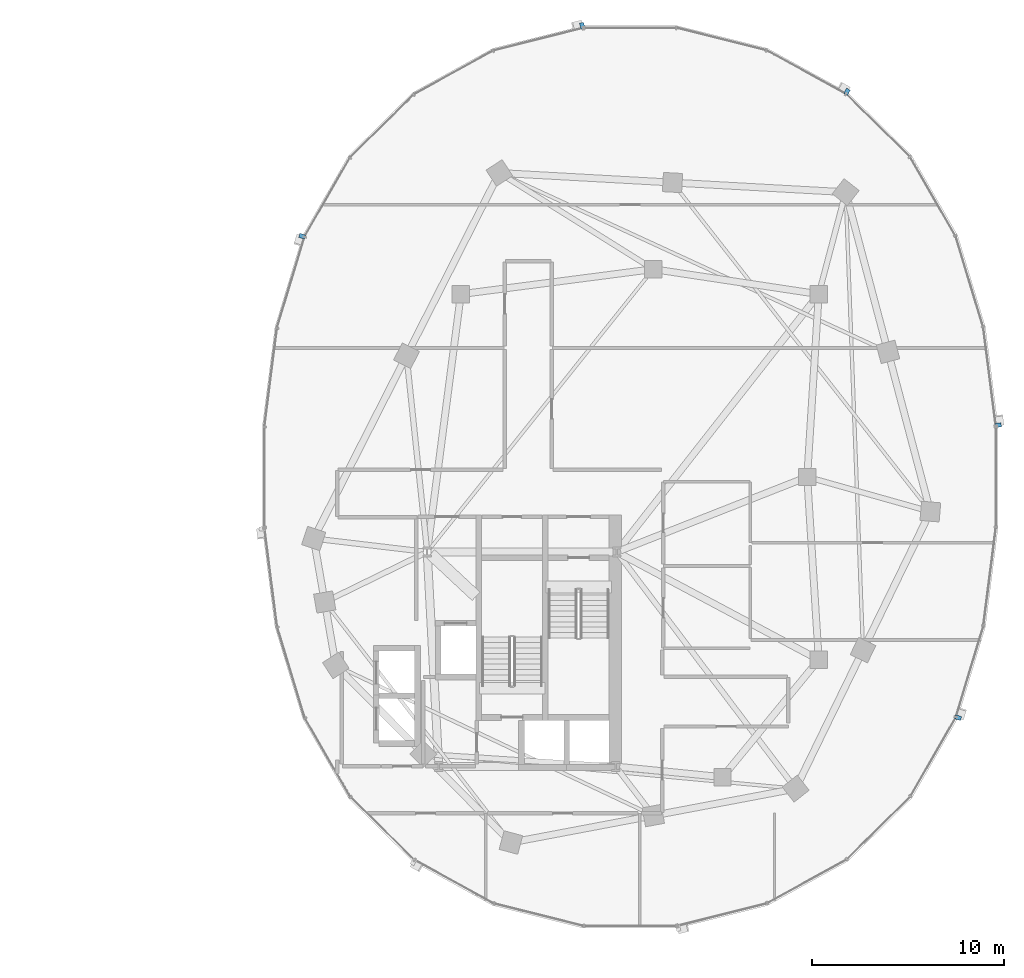
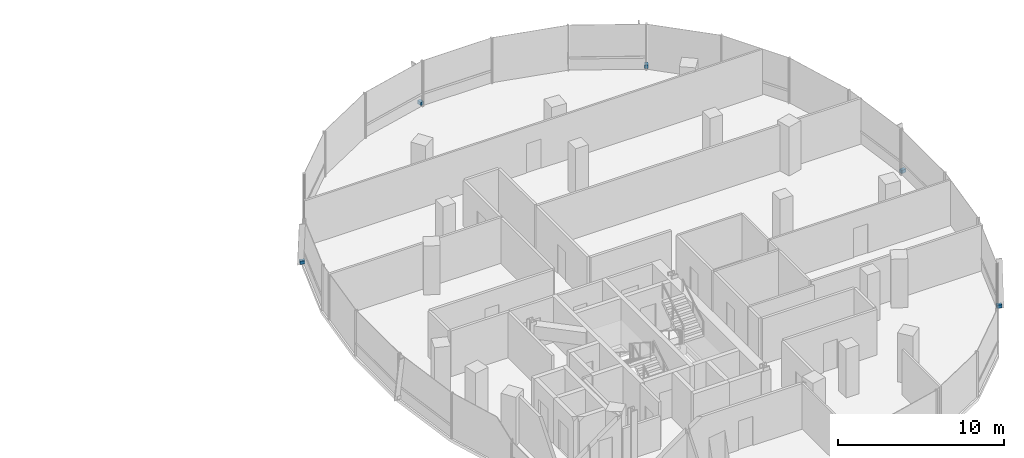
# One storey, part 18 of 23: 5 discrete accessories.
"""IFC4 building model written with IfcOpenShell, lengths in metres."""

import ifcopenshell
import ifcopenshell.guid

model = None  # the IFC model being written
_history = None  # IfcOwnerHistory: only IFC2X3 demands one
_inside = {}  # id of a spatial element -> (the spatial element, [elements in it])
_under = {}  # id of a project, library or spatial element -> (it, [spatial elements below it])
_declared = {}  # id of a project -> (the project, [libraries it declares])
_typed = {}  # id of a type object -> (the type object, [elements of that type])
_made_of = {}  # id of a material, layer set ... -> (it, [elements and type objects made of it])


def new_model(schema):
    """Start an empty IFC model of exactly this schema.

    Asked for "IFC4X3", IfcOpenShell would pick the latest addendum, in which some entities
    have other attributes; the version numbers below select the first issue.
    IFC2X3 requires an IfcOwnerHistory on every rooted entity: one is made here for all.
    """
    global model, _history
    if schema == "IFC4X3":
        model = ifcopenshell.file(schema_version=(4, 3, 0, 0))
    else:
        model = ifcopenshell.file(schema=schema)
    _inside.clear()
    _under.clear()
    _declared.clear()
    _typed.clear()
    _made_of.clear()
    _history = None
    if model.schema == "IFC2X3":
        org = make("IfcOrganization", Name="unknown")
        user = make(
            "IfcPersonAndOrganization",
            ThePerson=make("IfcPerson", FamilyName="unknown"),
            TheOrganization=org,
        )
        app = make(
            "IfcApplication",
            ApplicationDeveloper=org,
            Version="unknown",
            ApplicationFullName="unknown",
            ApplicationIdentifier="unknown",
        )
        _history = make(
            "IfcOwnerHistory",
            OwningUser=user,
            OwningApplication=app,
            ChangeAction="ADDED",
            CreationDate=0,
        )
    return model


def make(cls, **values):
    """One entity of the class cls with the attributes given. An attribute that is None is left unset."""
    return model.create_entity(
        cls, **{name: value for name, value in values.items() if value is not None}
    )


def rooted(cls, **values):
    """An entity with a GlobalId (a new one), such as an element, a storey or a relation."""
    return make(cls, GlobalId=ifcopenshell.guid.new(), OwnerHistory=_history, **values)


def si_unit(unit_type, name, prefix=None):
    """IfcSIUnit, for example si_unit("LENGTHUNIT", "METRE", prefix="MILLI")."""
    return make("IfcSIUnit", UnitType=unit_type, Prefix=prefix, Name=name)


def assignment(units):
    """IfcUnitAssignment: the units of a project."""
    return None if units is None else make("IfcUnitAssignment", Units=units)


def point(xyz):
    """IfcCartesianPoint."""
    return None if xyz is None else make("IfcCartesianPoint", Coordinates=xyz)


def direction(xyz):
    """IfcDirection."""
    return None if xyz is None else make("IfcDirection", DirectionRatios=xyz)


def frame(location, z_axis=None, x_axis=None):
    """IfcAxis2Placement3D, a coordinate frame: its origin and axes. An axis left out is left unset."""
    return make(
        "IfcAxis2Placement3D",
        Location=point(location),
        Axis=direction(z_axis),
        RefDirection=direction(x_axis),
    )


def frame_2d(location, x_axis=None):
    """IfcAxis2Placement2D, a coordinate frame in the plane: its origin and x axis."""
    return make(
        "IfcAxis2Placement2D", Location=point(location), RefDirection=direction(x_axis)
    )


def origin():
    """The frame at (0, 0, 0) with its axes left unset."""
    return frame((0.0, 0.0, 0.0))


def origin_2d():
    """The frame at (0, 0) in the plane with its x axis left unset."""
    return frame_2d((0.0, 0.0))


def place(relative_to, where):
    """IfcLocalPlacement: puts the frame where relative to a parent placement (None: the world)."""
    return make(
        "IfcLocalPlacement", PlacementRelTo=relative_to, RelativePlacement=where
    )


def context(
    kind, dimensions, precision=None, world=None, true_north=None, identifier=None
):
    """IfcGeometricRepresentationContext, for example the 3D "Model" context."""
    return make(
        "IfcGeometricRepresentationContext",
        ContextIdentifier=identifier,
        ContextType=kind,
        CoordinateSpaceDimension=dimensions,
        Precision=precision,
        WorldCoordinateSystem=world,
        TrueNorth=true_north,
    )


def subcontext(parent, identifier, kind, view, scale=None):
    """IfcGeometricRepresentationSubContext, for example "Body" below "Model"."""
    return make(
        "IfcGeometricRepresentationSubContext",
        ContextIdentifier=identifier,
        ContextType=kind,
        ParentContext=parent,
        TargetScale=scale,
        TargetView=view,
    )


def project(units=None, contexts=None):
    """IfcProject with its units and contexts."""
    return rooted(
        "IfcProject",
        Name="project",
        RepresentationContexts=contexts,
        UnitsInContext=assignment(units),
    )


def spatial(cls, under=None, at=None, **own):
    """A site, building, storey or space (cls), placed at a placement, below another one or the project."""
    s = rooted(cls, ObjectPlacement=at, **own)
    if under is not None:
        _under.setdefault(under.id(), (under, []))[1].append(s)
    return s


def profile(cls, at=None, kind="AREA", **sizes):
    """A parametric profile (cls). Its sizes go by their IFC names, for example OverallWidth=200.0."""
    return make(cls, ProfileType=kind, Position=at, **sizes)


def rectangle(**sizes):
    """IfcRectangleProfileDef."""
    return profile("IfcRectangleProfileDef", **sizes)


def extrude(swept, where, along, depth):
    """IfcExtrudedAreaSolid: the profile swept, set in the frame where, extruded along a direction by depth."""
    return make(
        "IfcExtrudedAreaSolid",
        SweptArea=swept,
        Position=where,
        ExtrudedDirection=direction(along),
        Depth=depth,
    )


def shape(context_of_items, identifier, shape_type, items):
    """IfcShapeRepresentation: the items that make up one representation, for example the "Body"."""
    return make(
        "IfcShapeRepresentation",
        ContextOfItems=context_of_items,
        RepresentationIdentifier=identifier,
        RepresentationType=shape_type,
        Items=items,
    )


def material(Name=None, Category=None):
    """IfcMaterial."""
    return make("IfcMaterial", Name=Name, Category=Category)


def made_of(thing, what):
    """Note that an element or type object is made of a material, layer set ...; save() writes the relation."""
    if what is not None:
        _made_of.setdefault(what.id(), (what, []))[1].append(thing)
    return thing


def type_object(cls, material=None, **own):
    """A type object (cls), such as IfcWallType, which elements share."""
    return made_of(rooted(cls, **own), material)


def element(
    cls,
    number,
    at=None,
    inside=None,
    cuts=None,
    type_object=None,
    material=None,
    context=None,
    identifier="Body",
    shape_type=None,
    held_by="IfcProductDefinitionShape",
    body=None,
    shapes=None,
    **own,
):
    """One element of the class cls, such as IfcWall. Its Tag is "e" and its number.

    at: its placement. inside: the storey or other place that contains it. cuts: it is an
    opening in that element (IfcRelVoidsElement). A single representation is given by context,
    identifier, shape_type and body (its items); several are given by shapes. held_by: the class
    of the entity that holds the representations. save() writes the other relations.
    """
    e = rooted(cls, Tag="e%d" % number, ObjectPlacement=at, **own)
    if body is not None:
        shapes = [shape(context, identifier, shape_type, body)]
    if shapes is not None:
        e.Representation = make(held_by, Representations=shapes)
    if inside is not None:
        _inside.setdefault(inside.id(), (inside, []))[1].append(e)
    if cuts is not None:
        rooted(
            "IfcRelVoidsElement", RelatingBuildingElement=cuts, RelatedOpeningElement=e
        )
    if type_object is not None:
        _typed.setdefault(type_object.id(), (type_object, []))[1].append(e)
    return made_of(e, material)


def aggregate(whole, parts):
    """IfcRelAggregates: a whole, such as a stair, and the parts it consists of."""
    return rooted("IfcRelAggregates", RelatingObject=whole, RelatedObjects=parts)


def save(model, path):
    """Write the relations noted so far, then the file.

    IfcRelAggregates (storeys below a building ...), IfcRelContainedInSpatialStructure (elements
    in a storey), IfcRelDefinesByType, IfcRelAssociatesMaterial and IfcRelDeclares: one each for
    every whole, place, type object, material and project.
    """
    for whole, parts in _under.values():
        aggregate(whole, parts)
    for where, things in _inside.values():
        rooted(
            "IfcRelContainedInSpatialStructure",
            RelatedElements=things,
            RelatingStructure=where,
        )
    for kind, things in _typed.values():
        rooted("IfcRelDefinesByType", RelatedObjects=things, RelatingType=kind)
    for what, things in _made_of.values():
        rooted("IfcRelAssociatesMaterial", RelatedObjects=things, RelatingMaterial=what)
    for by, libraries in _declared.values():
        rooted("IfcRelDeclares", RelatingContext=by, RelatedDefinitions=libraries)
    model.write(path)


model = new_model("IFC4")

# Units and contexts
model_context = context("Model", 3, precision=1e-05, world=origin(), true_north=direction((0.0, 1.0)))
body_context = subcontext(model_context, "Body", "Model", "MODEL_VIEW")
ifc_project = project(units=[si_unit("LENGTHUNIT", "METRE"), si_unit("AREAUNIT", "SQUARE_METRE"), si_unit("VOLUMEUNIT", "CUBIC_METRE"), si_unit("PLANEANGLEUNIT", "RADIAN"), si_unit("MASSUNIT", "GRAM", prefix="KILO"), si_unit("THERMODYNAMICTEMPERATUREUNIT", "KELVIN"), si_unit("POWERUNIT", "WATT")], contexts=[model_context])

# Site, building, storey
site_placement = place(None, origin())
site = spatial("IfcSite", under=ifc_project, at=site_placement, CompositionType="ELEMENT")
building_placement = place(site_placement, origin())
building = spatial("IfcBuilding", under=site, at=building_placement, Name="Cundina Bronze Exchange", CompositionType="ELEMENT")
storey_placement = place(building_placement, frame((0.0, 0.0, 176.39990234375)))
storey = spatial("IfcBuildingStorey", under=building, at=storey_placement, Name="L46", CompositionType="ELEMENT", Elevation=176.39990234375)

# Discrete accessories
ifc_material = material(Name="Anodised Bronze Aluminium 6063-T6", Category="aluminium")
discrete_accessory_type = type_object("IfcDiscreteAccessoryType", Name="ACC-BRK-FIN", PredefinedType="BRACKET", material=ifc_material)
for number, where, z_axis, x_axis, name in (
    (1, (51.125732421875, 2.69189453125, 0.10009765625), (0.0, 0.0, 1.0), (-0.126475984253, 0.9919696696, 0.0), "L46 Fin Support Bracket 1"),
    (2, (43.266845703125, 20.015380859375, 0.10009765625), (0.0, 0.0, 1.0), (-0.875869093438, 0.482548786301, 0.0), "L46 Fin Support Bracket 5"),
    (3, (29.507080078125, 23.44970703125, 0.10009765625), (0.0, 0.0, 1.0), (-0.970092713791, -0.242734683656, 0.0), "L46 Fin Support Bracket 1"),
    (4, (14.9541015625, 12.511962890625, 0.10009765625), (0.0, 0.0, 1.0), (-0.290050843957, -0.957011237092, 0.0), "L46 Fin Support Bracket 5"),
    (5, (49.0458984375, -12.511962890625, 0.10009765625), (0.0, 0.0, 1.0), (0.290050843957, 0.957011237092, 0.0), "L46 Fin Support Bracket 5"),
):
    element("IfcDiscreteAccessory", number, at=place(storey_placement, frame(where, z_axis=z_axis, x_axis=x_axis)), inside=storey, type_object=discrete_accessory_type, Name=name, PredefinedType="BRACKET", context=body_context, shape_type="SweptSolid", body=[
        extrude(rectangle(XDim=0.219970703125, YDim=0.320068359375, at=origin_2d()), origin(), (0.0, 0.0, 1.0), 0.239990234375),
    ])

save(model, "model.ifc")
